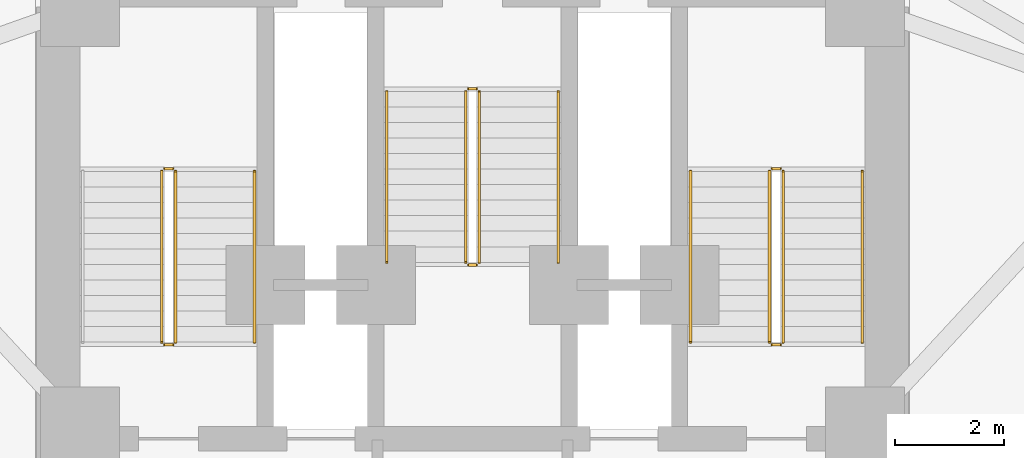
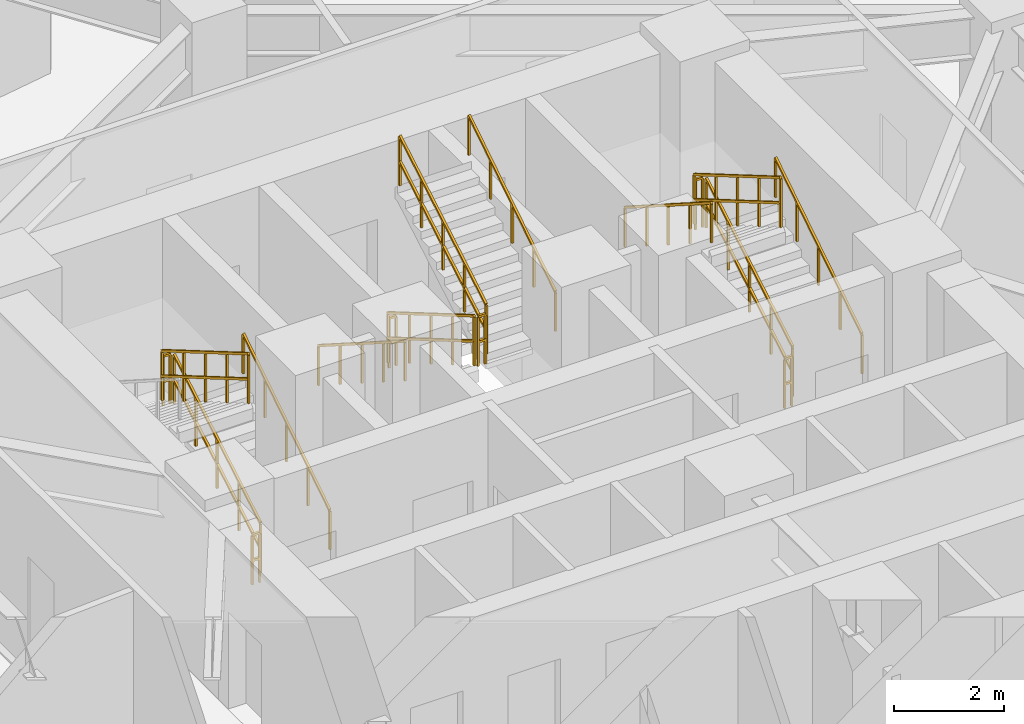
# One storey, part 9 of 9: 17 railings.
"""IFC4 building model written with IfcOpenShell, lengths in metres."""

from ifc_helpers import new_model, si_unit, direction, frame, origin, origin_2d, place, context, subcontext, project, spatial, rectangle, extrude, material, type_object, element, save


model = new_model("IFC4")

# Units and contexts
model_context = context("Model", 3, precision=1e-05, world=origin(), true_north=direction((0.0, 1.0)))
body_context = subcontext(model_context, "Body", "Model", "MODEL_VIEW")
ifc_project = project(units=[si_unit("LENGTHUNIT", "METRE"), si_unit("AREAUNIT", "SQUARE_METRE"), si_unit("VOLUMEUNIT", "CUBIC_METRE"), si_unit("PLANEANGLEUNIT", "RADIAN"), si_unit("MASSUNIT", "GRAM", prefix="KILO")], contexts=[model_context])

# Site, building, storey
site_placement = place(None, origin())
site = spatial("IfcSite", under=ifc_project, at=site_placement, CompositionType="ELEMENT")
building_placement = place(site_placement, origin())
building = spatial("IfcBuilding", under=site, at=building_placement, Name="Apsidion Concourse Tower", CompositionType="ELEMENT")
storey_placement = place(building_placement, frame((0.0, 0.0, 119.0)))
storey = spatial("IfcBuildingStorey", under=building, at=storey_placement, Name="L27", CompositionType="ELEMENT", Elevation=119.0)

# Railings
ifc_material = material(Name="Brushed stainless steel 316", Category="steel")
railing_type_1 = type_object("IfcRailingType", Name="RL-GUARD-1100", PredefinedType="GUARDRAIL", material=ifc_material)
railing_1_placement = place(storey_placement, frame((-5.449951171875, 3.0, 0.166748046875)))
element("IfcRailing", 1, at=railing_1_placement, inside=storey, type_object=railing_type_1, Name="L27 ST1 stair guard 1", PredefinedType="GUARDRAIL", context=body_context, shape_type="SweptSolid", body=[
    extrude(rectangle(XDim=0.048095703125, YDim=0.048095703125, at=origin_2d()), frame((0.0, 0.0, 1.09619140625), z_axis=(0.0, 0.863239559939, 0.504794475164), x_axis=(-1.0, 0.0, 0.0)), (0.0, 0.0, 1.0), 3.631591796875),
    extrude(rectangle(XDim=0.048095703125, YDim=0.048095703125, at=origin_2d()), frame((0.0, 0.0, 0.5361328125), z_axis=(0.0, 0.863239559939, 0.504794475164), x_axis=(-1.0, 0.0, 0.0)), (0.0, 0.0, 1.0), 3.631591796875),
    extrude(rectangle(XDim=0.0419921875, YDim=0.0419921875, at=origin_2d()), origin(), (0.0, 0.0, 1.0), 1.072021484375),
    extrude(rectangle(XDim=0.0419921875, YDim=0.0419921875, at=origin_2d()), frame((0.0, 0.78369140625, 0.458251953125)), (0.0, 0.0, 1.0), 1.072021484375),
    extrude(rectangle(XDim=0.0419921875, YDim=0.0419921875, at=origin_2d()), frame((0.0, 1.5673828125, 0.91650390625)), (0.0, 0.0, 1.0), 1.072021484375),
    extrude(rectangle(XDim=0.0419921875, YDim=0.0419921875, at=origin_2d()), frame((0.0, 2.351318359375, 1.375)), (0.0, 0.0, 1.0), 1.072021484375),
    extrude(rectangle(XDim=0.0419921875, YDim=0.0419921875, at=origin_2d()), frame((0.0, 3.135009765625, 1.833251953125)), (0.0, 0.0, 1.0), 1.072021484375),
])
railing_2_placement = place(storey_placement, frame((-5.5, 6.18505859375, 2.0)))
element("IfcRailing", 2, at=railing_2_placement, inside=storey, type_object=railing_type_1, Name="L27 ST1 stair guard 2", PredefinedType="GUARDRAIL", context=body_context, shape_type="SweptSolid", body=[
    extrude(rectangle(XDim=0.048095703125, YDim=0.048095703125, at=origin_2d()), frame((0.0, 0.0, 1.09619140625), z_axis=(-1.0, 0.0, 0.0), x_axis=(0.0, -1.0, 0.0)), (0.0, 0.0, 1.0), 0.14990234375),
    extrude(rectangle(XDim=0.048095703125, YDim=0.048095703125, at=origin_2d()), frame((0.0, 0.0, 0.5361328125), z_axis=(-1.0, 0.0, 0.0), x_axis=(0.0, -1.0, 0.0)), (0.0, 0.0, 1.0), 0.14990234375),
    extrude(rectangle(XDim=0.0419921875, YDim=0.0419921875, at=origin_2d()), origin(), (0.0, 0.0, 1.0), 1.072021484375),
    extrude(rectangle(XDim=0.0419921875, YDim=0.0419921875, at=origin_2d()), frame((-0.14990234375, 0.0, 0.0)), (0.0, 0.0, 1.0), 1.072021484375),
])
railing_3_placement = place(storey_placement, frame((-5.699951171875, 6.135009765625, 2.166748046875)))
element("IfcRailing", 3, at=railing_3_placement, inside=storey, type_object=railing_type_1, Name="L27 ST1 stair guard 3", PredefinedType="GUARDRAIL", context=body_context, shape_type="SweptSolid", body=[
    extrude(rectangle(XDim=0.048095703125, YDim=0.048095703125, at=origin_2d()), frame((0.0, 0.0, 1.09619140625), z_axis=(0.0, -0.863239559939, 0.504794475164), x_axis=(1.0, 0.0, 0.0)), (0.0, 0.0, 1.0), 3.631591796875),
    extrude(rectangle(XDim=0.048095703125, YDim=0.048095703125, at=origin_2d()), frame((0.0, 0.0, 0.5361328125), z_axis=(0.0, -0.863239559939, 0.504794475164), x_axis=(1.0, 0.0, 0.0)), (0.0, 0.0, 1.0), 3.631591796875),
    extrude(rectangle(XDim=0.0419921875, YDim=0.0419921875, at=origin_2d()), origin(), (0.0, 0.0, 1.0), 1.072021484375),
    extrude(rectangle(XDim=0.0419921875, YDim=0.0419921875, at=origin_2d()), frame((0.0, -0.78369140625, 0.458251953125)), (0.0, 0.0, 1.0), 1.072021484375),
    extrude(rectangle(XDim=0.0419921875, YDim=0.0419921875, at=origin_2d()), frame((0.0, -1.5673828125, 0.91650390625)), (0.0, 0.0, 1.0), 1.072021484375),
    extrude(rectangle(XDim=0.0419921875, YDim=0.0419921875, at=origin_2d()), frame((0.0, -2.351318359375, 1.375)), (0.0, 0.0, 1.0), 1.072021484375),
    extrude(rectangle(XDim=0.0419921875, YDim=0.0419921875, at=origin_2d()), frame((0.0, -3.135009765625, 1.833251953125)), (0.0, 0.0, 1.0), 1.072021484375),
])
railing_4_placement = place(storey_placement, frame((-5.5, 2.949951171875, 0.0)))
element("IfcRailing", 4, at=railing_4_placement, inside=storey, type_object=railing_type_1, Name="L27 ST1 stair guard 4", PredefinedType="GUARDRAIL", context=body_context, shape_type="SweptSolid", body=[
    extrude(rectangle(XDim=0.048095703125, YDim=0.048095703125, at=origin_2d()), frame((0.0, 0.0, 1.09619140625), z_axis=(-1.0, 0.0, 0.0), x_axis=(0.0, -1.0, 0.0)), (0.0, 0.0, 1.0), 0.14990234375),
    extrude(rectangle(XDim=0.048095703125, YDim=0.048095703125, at=origin_2d()), frame((0.0, 0.0, 0.5361328125), z_axis=(-1.0, 0.0, 0.0), x_axis=(0.0, -1.0, 0.0)), (0.0, 0.0, 1.0), 0.14990234375),
    extrude(rectangle(XDim=0.0419921875, YDim=0.0419921875, at=origin_2d()), origin(), (0.0, 0.0, 1.0), 1.072021484375),
    extrude(rectangle(XDim=0.0419921875, YDim=0.0419921875, at=origin_2d()), frame((-0.14990234375, 0.0, 0.0)), (0.0, 0.0, 1.0), 1.072021484375),
])
railing_5_placement = place(storey_placement, frame((5.699951171875, 3.0, 0.166748046875)))
element("IfcRailing", 5, at=railing_5_placement, inside=storey, type_object=railing_type_1, Name="L27 ST2 stair guard 1", PredefinedType="GUARDRAIL", context=body_context, shape_type="SweptSolid", body=[
    extrude(rectangle(XDim=0.048095703125, YDim=0.048095703125, at=origin_2d()), frame((0.0, 0.0, 1.09619140625), z_axis=(0.0, 0.863239559939, 0.504794475164), x_axis=(-1.0, 0.0, 0.0)), (0.0, 0.0, 1.0), 3.631591796875),
    extrude(rectangle(XDim=0.048095703125, YDim=0.048095703125, at=origin_2d()), frame((0.0, 0.0, 0.5361328125), z_axis=(0.0, 0.863239559939, 0.504794475164), x_axis=(-1.0, 0.0, 0.0)), (0.0, 0.0, 1.0), 3.631591796875),
    extrude(rectangle(XDim=0.0419921875, YDim=0.0419921875, at=origin_2d()), origin(), (0.0, 0.0, 1.0), 1.072021484375),
    extrude(rectangle(XDim=0.0419921875, YDim=0.0419921875, at=origin_2d()), frame((0.0, 0.78369140625, 0.458251953125)), (0.0, 0.0, 1.0), 1.072021484375),
    extrude(rectangle(XDim=0.0419921875, YDim=0.0419921875, at=origin_2d()), frame((0.0, 1.5673828125, 0.91650390625)), (0.0, 0.0, 1.0), 1.072021484375),
    extrude(rectangle(XDim=0.0419921875, YDim=0.0419921875, at=origin_2d()), frame((0.0, 2.351318359375, 1.375)), (0.0, 0.0, 1.0), 1.072021484375),
    extrude(rectangle(XDim=0.0419921875, YDim=0.0419921875, at=origin_2d()), frame((0.0, 3.135009765625, 1.833251953125)), (0.0, 0.0, 1.0), 1.072021484375),
])
railing_6_placement = place(storey_placement, frame((5.64990234375, 6.18505859375, 2.0)))
element("IfcRailing", 6, at=railing_6_placement, inside=storey, type_object=railing_type_1, Name="L27 ST2 stair guard 2", PredefinedType="GUARDRAIL", context=body_context, shape_type="SweptSolid", body=[
    extrude(rectangle(XDim=0.048095703125, YDim=0.048095703125, at=origin_2d()), frame((0.0, 0.0, 1.09619140625), z_axis=(-1.0, 0.0, 0.0), x_axis=(0.0, -1.0, 0.0)), (0.0, 0.0, 1.0), 0.14990234375),
    extrude(rectangle(XDim=0.048095703125, YDim=0.048095703125, at=origin_2d()), frame((0.0, 0.0, 0.5361328125), z_axis=(-1.0, 0.0, 0.0), x_axis=(0.0, -1.0, 0.0)), (0.0, 0.0, 1.0), 0.14990234375),
    extrude(rectangle(XDim=0.0419921875, YDim=0.0419921875, at=origin_2d()), origin(), (0.0, 0.0, 1.0), 1.072021484375),
    extrude(rectangle(XDim=0.0419921875, YDim=0.0419921875, at=origin_2d()), frame((-0.14990234375, 0.0, 0.0)), (0.0, 0.0, 1.0), 1.072021484375),
])
railing_7_placement = place(storey_placement, frame((5.449951171875, 6.135009765625, 2.166748046875)))
element("IfcRailing", 7, at=railing_7_placement, inside=storey, type_object=railing_type_1, Name="L27 ST2 stair guard 3", PredefinedType="GUARDRAIL", context=body_context, shape_type="SweptSolid", body=[
    extrude(rectangle(XDim=0.048095703125, YDim=0.048095703125, at=origin_2d()), frame((0.0, 0.0, 1.09619140625), z_axis=(0.0, -0.863239559939, 0.504794475164), x_axis=(1.0, 0.0, 0.0)), (0.0, 0.0, 1.0), 3.631591796875),
    extrude(rectangle(XDim=0.048095703125, YDim=0.048095703125, at=origin_2d()), frame((0.0, 0.0, 0.5361328125), z_axis=(0.0, -0.863239559939, 0.504794475164), x_axis=(1.0, 0.0, 0.0)), (0.0, 0.0, 1.0), 3.631591796875),
    extrude(rectangle(XDim=0.0419921875, YDim=0.0419921875, at=origin_2d()), origin(), (0.0, 0.0, 1.0), 1.072021484375),
    extrude(rectangle(XDim=0.0419921875, YDim=0.0419921875, at=origin_2d()), frame((0.0, -0.78369140625, 0.458251953125)), (0.0, 0.0, 1.0), 1.072021484375),
    extrude(rectangle(XDim=0.0419921875, YDim=0.0419921875, at=origin_2d()), frame((0.0, -1.5673828125, 0.91650390625)), (0.0, 0.0, 1.0), 1.072021484375),
    extrude(rectangle(XDim=0.0419921875, YDim=0.0419921875, at=origin_2d()), frame((0.0, -2.351318359375, 1.375)), (0.0, 0.0, 1.0), 1.072021484375),
    extrude(rectangle(XDim=0.0419921875, YDim=0.0419921875, at=origin_2d()), frame((0.0, -3.135009765625, 1.833251953125)), (0.0, 0.0, 1.0), 1.072021484375),
])
railing_8_placement = place(storey_placement, frame((5.64990234375, 2.949951171875, 0.0)))
element("IfcRailing", 8, at=railing_8_placement, inside=storey, type_object=railing_type_1, Name="L27 ST2 stair guard 4", PredefinedType="GUARDRAIL", context=body_context, shape_type="SweptSolid", body=[
    extrude(rectangle(XDim=0.048095703125, YDim=0.048095703125, at=origin_2d()), frame((0.0, 0.0, 1.09619140625), z_axis=(-1.0, 0.0, 0.0), x_axis=(0.0, -1.0, 0.0)), (0.0, 0.0, 1.0), 0.14990234375),
    extrude(rectangle(XDim=0.048095703125, YDim=0.048095703125, at=origin_2d()), frame((0.0, 0.0, 0.5361328125), z_axis=(-1.0, 0.0, 0.0), x_axis=(0.0, -1.0, 0.0)), (0.0, 0.0, 1.0), 0.14990234375),
    extrude(rectangle(XDim=0.0419921875, YDim=0.0419921875, at=origin_2d()), origin(), (0.0, 0.0, 1.0), 1.072021484375),
    extrude(rectangle(XDim=0.0419921875, YDim=0.0419921875, at=origin_2d()), frame((-0.14990234375, 0.0, 0.0)), (0.0, 0.0, 1.0), 1.072021484375),
])
railing_9_placement = place(storey_placement, frame((-0.125, 7.60009765625, 0.166748046875)))
element("IfcRailing", 9, at=railing_9_placement, inside=storey, type_object=railing_type_1, Name="L27 ST3 stair guard 1", PredefinedType="GUARDRAIL", context=body_context, shape_type="SweptSolid", body=[
    extrude(rectangle(XDim=0.048095703125, YDim=0.048095703125, at=origin_2d()), frame((0.0, 0.0, 1.09619140625), z_axis=(0.0, -0.863239559939, 0.504794475164), x_axis=(1.0, 0.0, 0.0)), (0.0, 0.0, 1.0), 3.631591796875),
    extrude(rectangle(XDim=0.048095703125, YDim=0.048095703125, at=origin_2d()), frame((0.0, 0.0, 0.5361328125), z_axis=(0.0, -0.863239559939, 0.504794475164), x_axis=(1.0, 0.0, 0.0)), (0.0, 0.0, 1.0), 3.631591796875),
    extrude(rectangle(XDim=0.0419921875, YDim=0.0419921875, at=origin_2d()), origin(), (0.0, 0.0, 1.0), 1.072021484375),
    extrude(rectangle(XDim=0.0419921875, YDim=0.0419921875, at=origin_2d()), frame((0.0, -0.78369140625, 0.458251953125)), (0.0, 0.0, 1.0), 1.072021484375),
    extrude(rectangle(XDim=0.0419921875, YDim=0.0419921875, at=origin_2d()), frame((0.0, -1.5673828125, 0.91650390625)), (0.0, 0.0, 1.0), 1.072021484375),
    extrude(rectangle(XDim=0.0419921875, YDim=0.0419921875, at=origin_2d()), frame((0.0, -2.351318359375, 1.375)), (0.0, 0.0, 1.0), 1.072021484375),
    extrude(rectangle(XDim=0.0419921875, YDim=0.0419921875, at=origin_2d()), frame((0.0, -3.135009765625, 1.833251953125)), (0.0, 0.0, 1.0), 1.072021484375),
])
railing_10_placement = place(storey_placement, frame((-0.074951171875, 4.4150390625, 2.0)))
element("IfcRailing", 10, at=railing_10_placement, inside=storey, type_object=railing_type_1, Name="L27 ST3 stair guard 2", PredefinedType="GUARDRAIL", context=body_context, shape_type="SweptSolid", body=[
    extrude(rectangle(XDim=0.048095703125, YDim=0.048095703125, at=origin_2d()), frame((0.0, 0.0, 1.09619140625), z_axis=(1.0, 0.0, 0.0), x_axis=(0.0, 1.0, 0.0)), (0.0, 0.0, 1.0), 0.14990234375),
    extrude(rectangle(XDim=0.048095703125, YDim=0.048095703125, at=origin_2d()), frame((0.0, 0.0, 0.5361328125), z_axis=(1.0, 0.0, 0.0), x_axis=(0.0, 1.0, 0.0)), (0.0, 0.0, 1.0), 0.14990234375),
    extrude(rectangle(XDim=0.0419921875, YDim=0.0419921875, at=origin_2d()), origin(), (0.0, 0.0, 1.0), 1.072021484375),
    extrude(rectangle(XDim=0.0419921875, YDim=0.0419921875, at=origin_2d()), frame((0.14990234375, 0.0, 0.0)), (0.0, 0.0, 1.0), 1.072021484375),
])
railing_11_placement = place(storey_placement, frame((0.125, 4.465087890625, 2.166748046875)))
element("IfcRailing", 11, at=railing_11_placement, inside=storey, type_object=railing_type_1, Name="L27 ST3 stair guard 3", PredefinedType="GUARDRAIL", context=body_context, shape_type="SweptSolid", body=[
    extrude(rectangle(XDim=0.048095703125, YDim=0.048095703125, at=origin_2d()), frame((0.0, 0.0, 1.09619140625), z_axis=(0.0, 0.863239559939, 0.504794475164), x_axis=(-1.0, 0.0, 0.0)), (0.0, 0.0, 1.0), 3.631591796875),
    extrude(rectangle(XDim=0.048095703125, YDim=0.048095703125, at=origin_2d()), frame((0.0, 0.0, 0.5361328125), z_axis=(0.0, 0.863239559939, 0.504794475164), x_axis=(-1.0, 0.0, 0.0)), (0.0, 0.0, 1.0), 3.631591796875),
    extrude(rectangle(XDim=0.0419921875, YDim=0.0419921875, at=origin_2d()), origin(), (0.0, 0.0, 1.0), 1.072021484375),
    extrude(rectangle(XDim=0.0419921875, YDim=0.0419921875, at=origin_2d()), frame((0.0, 0.78369140625, 0.458251953125)), (0.0, 0.0, 1.0), 1.072021484375),
    extrude(rectangle(XDim=0.0419921875, YDim=0.0419921875, at=origin_2d()), frame((0.0, 1.5673828125, 0.91650390625)), (0.0, 0.0, 1.0), 1.072021484375),
    extrude(rectangle(XDim=0.0419921875, YDim=0.0419921875, at=origin_2d()), frame((0.0, 2.351318359375, 1.375)), (0.0, 0.0, 1.0), 1.072021484375),
    extrude(rectangle(XDim=0.0419921875, YDim=0.0419921875, at=origin_2d()), frame((0.0, 3.135009765625, 1.833251953125)), (0.0, 0.0, 1.0), 1.072021484375),
])
railing_12_placement = place(storey_placement, frame((-0.074951171875, 7.64990234375, 0.0)))
element("IfcRailing", 12, at=railing_12_placement, inside=storey, type_object=railing_type_1, Name="L27 ST3 stair guard 4", PredefinedType="GUARDRAIL", context=body_context, shape_type="SweptSolid", body=[
    extrude(rectangle(XDim=0.048095703125, YDim=0.048095703125, at=origin_2d()), frame((0.0, 0.0, 1.09619140625), z_axis=(1.0, 0.0, 0.0), x_axis=(0.0, 1.0, 0.0)), (0.0, 0.0, 1.0), 0.14990234375),
    extrude(rectangle(XDim=0.048095703125, YDim=0.048095703125, at=origin_2d()), frame((0.0, 0.0, 0.5361328125), z_axis=(1.0, 0.0, 0.0), x_axis=(0.0, 1.0, 0.0)), (0.0, 0.0, 1.0), 0.14990234375),
    extrude(rectangle(XDim=0.0419921875, YDim=0.0419921875, at=origin_2d()), origin(), (0.0, 0.0, 1.0), 1.072021484375),
    extrude(rectangle(XDim=0.0419921875, YDim=0.0419921875, at=origin_2d()), frame((0.14990234375, 0.0, 0.0)), (0.0, 0.0, 1.0), 1.072021484375),
])
railing_type_2 = type_object("IfcRailingType", Name="RL-HAND-900", PredefinedType="HANDRAIL", material=ifc_material)
for number, where, name in (
    (13, (-4.0, 3.0, 0.166748046875), "L27 ST1 stair handrail 1"),
    (14, (7.14990234375, 3.0, 0.166748046875), "L27 ST2 stair handrail 1"),
):
    element("IfcRailing", number, at=place(storey_placement, frame(where)), inside=storey, type_object=railing_type_2, Name=name, PredefinedType="HANDRAIL", context=body_context, shape_type="SweptSolid", body=[
        extrude(rectangle(XDim=0.048095703125, YDim=0.048095703125, at=origin_2d()), frame((0.0, 0.0, 0.8759765625), z_axis=(0.0, 0.843052688722, 0.537830980921), x_axis=(-1.0, 0.0, 0.0)), (0.0, 0.0, 1.0), 3.71875),
        extrude(rectangle(XDim=0.0419921875, YDim=0.0419921875, at=origin_2d()), origin(), (0.0, 0.0, 1.0), 0.851806640625),
        extrude(rectangle(XDim=0.0419921875, YDim=0.0419921875, at=origin_2d()), frame((0.0, 0.78369140625, 0.5)), (0.0, 0.0, 1.0), 0.851806640625),
        extrude(rectangle(XDim=0.0419921875, YDim=0.0419921875, at=origin_2d()), frame((0.0, 1.5673828125, 1.0)), (0.0, 0.0, 1.0), 0.851806640625),
        extrude(rectangle(XDim=0.0419921875, YDim=0.0419921875, at=origin_2d()), frame((0.0, 2.351318359375, 1.5)), (0.0, 0.0, 1.0), 0.851806640625),
        extrude(rectangle(XDim=0.0419921875, YDim=0.0419921875, at=origin_2d()), frame((0.0, 3.135009765625, 2.0)), (0.0, 0.0, 1.0), 0.851806640625),
    ])
for number, where, name in (
    (15, (4.0, 6.135009765625, 2.166748046875), "L27 ST2 stair handrail 2"),
    (16, (-1.574951171875, 7.60009765625, 0.166748046875), "L27 ST3 stair handrail 1"),
):
    element("IfcRailing", number, at=place(storey_placement, frame(where)), inside=storey, type_object=railing_type_2, Name=name, PredefinedType="HANDRAIL", context=body_context, shape_type="SweptSolid", body=[
        extrude(rectangle(XDim=0.048095703125, YDim=0.048095703125, at=origin_2d()), frame((0.0, 0.0, 0.8759765625), z_axis=(0.0, -0.843052688722, 0.537830980921), x_axis=(1.0, 0.0, 0.0)), (0.0, 0.0, 1.0), 3.71875),
        extrude(rectangle(XDim=0.0419921875, YDim=0.0419921875, at=origin_2d()), origin(), (0.0, 0.0, 1.0), 0.851806640625),
        extrude(rectangle(XDim=0.0419921875, YDim=0.0419921875, at=origin_2d()), frame((0.0, -0.78369140625, 0.5)), (0.0, 0.0, 1.0), 0.851806640625),
        extrude(rectangle(XDim=0.0419921875, YDim=0.0419921875, at=origin_2d()), frame((0.0, -1.5673828125, 1.0)), (0.0, 0.0, 1.0), 0.851806640625),
        extrude(rectangle(XDim=0.0419921875, YDim=0.0419921875, at=origin_2d()), frame((0.0, -2.351318359375, 1.5)), (0.0, 0.0, 1.0), 0.851806640625),
        extrude(rectangle(XDim=0.0419921875, YDim=0.0419921875, at=origin_2d()), frame((0.0, -3.135009765625, 2.0)), (0.0, 0.0, 1.0), 0.851806640625),
    ])
railing_13_placement = place(storey_placement, frame((1.574951171875, 4.465087890625, 2.166748046875)))
element("IfcRailing", 17, at=railing_13_placement, inside=storey, type_object=railing_type_2, Name="L27 ST3 stair handrail 2", PredefinedType="HANDRAIL", context=body_context, shape_type="SweptSolid", body=[
    extrude(rectangle(XDim=0.048095703125, YDim=0.048095703125, at=origin_2d()), frame((0.0, 0.0, 0.8759765625), z_axis=(0.0, 0.843052688722, 0.537830980921), x_axis=(-1.0, 0.0, 0.0)), (0.0, 0.0, 1.0), 3.71875),
    extrude(rectangle(XDim=0.0419921875, YDim=0.0419921875, at=origin_2d()), origin(), (0.0, 0.0, 1.0), 0.851806640625),
    extrude(rectangle(XDim=0.0419921875, YDim=0.0419921875, at=origin_2d()), frame((0.0, 0.78369140625, 0.5)), (0.0, 0.0, 1.0), 0.851806640625),
    extrude(rectangle(XDim=0.0419921875, YDim=0.0419921875, at=origin_2d()), frame((0.0, 1.5673828125, 1.0)), (0.0, 0.0, 1.0), 0.851806640625),
    extrude(rectangle(XDim=0.0419921875, YDim=0.0419921875, at=origin_2d()), frame((0.0, 2.351318359375, 1.5)), (0.0, 0.0, 1.0), 0.851806640625),
    extrude(rectangle(XDim=0.0419921875, YDim=0.0419921875, at=origin_2d()), frame((0.0, 3.135009765625, 2.0)), (0.0, 0.0, 1.0), 0.851806640625),
])

save(model, "model.ifc")
